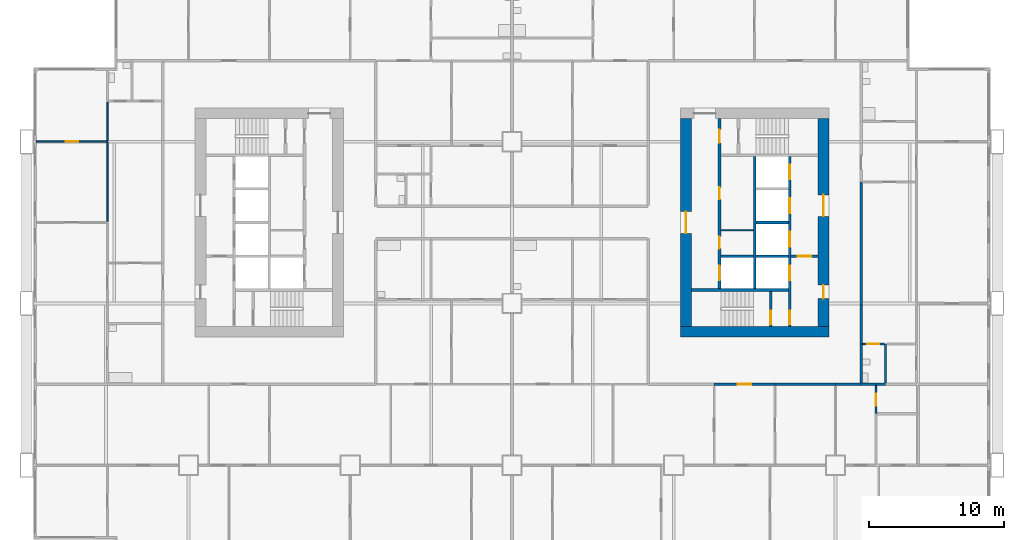
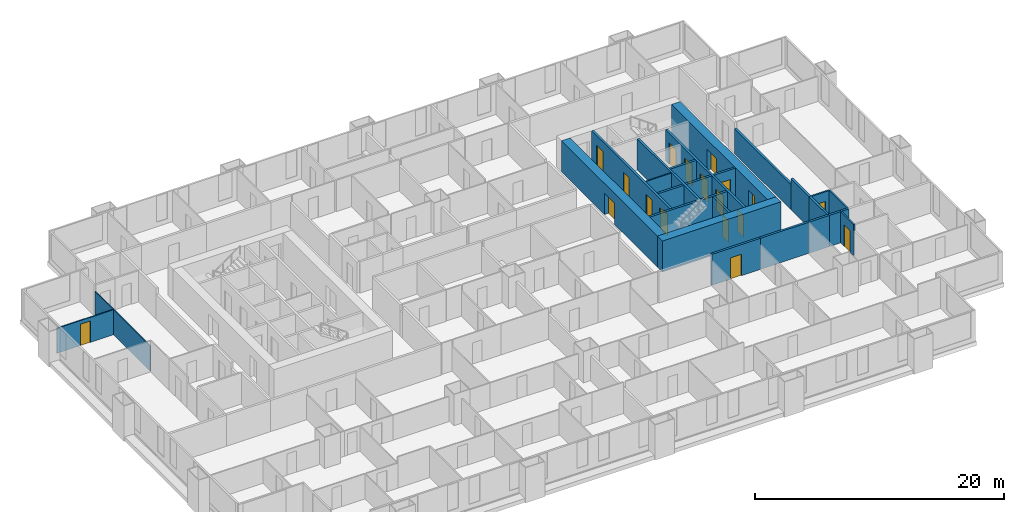
# One storey, part 7 of 14: 27 walls, 18 doors, 18 openings.
"""IFC4 building model written with IfcOpenShell, lengths in metres."""

from ifc_helpers import new_model, si_unit, direction, frame, frame_2d, origin, place, context, subcontext, project, spatial, rectangle, extrude, material, layer, layer_set, type_object, element, fill, save


model = new_model("IFC4")

# Units and contexts
model_context = context("Model", 3, precision=1e-05, world=origin(), true_north=direction((0.0, 1.0)))
body_context = subcontext(model_context, "Body", "Model", "MODEL_VIEW")
ifc_project = project(units=[si_unit("LENGTHUNIT", "METRE"), si_unit("AREAUNIT", "SQUARE_METRE"), si_unit("VOLUMEUNIT", "CUBIC_METRE"), si_unit("PLANEANGLEUNIT", "RADIAN"), si_unit("MASSUNIT", "GRAM", prefix="KILO")], contexts=[model_context])

# Site, building, storey
site_placement = place(None, origin())
site = spatial("IfcSite", under=ifc_project, at=site_placement, CompositionType="ELEMENT")
building_placement = place(site_placement, origin())
building = spatial("IfcBuilding", under=site, at=building_placement, Name="Kitamizu Gate Tower and Museum", CompositionType="ELEMENT")
storey_placement = place(building_placement, frame((0.0, 0.0, 33.449951171875)))
storey = spatial("IfcBuildingStorey", under=building, at=storey_placement, Name="L06", CompositionType="ELEMENT", Elevation=33.449951171875)

# Wall
ifc_material_1 = material(Name="Concrete Fc60", Category="concrete")
ifc_layer_1 = layer(ifc_material_1, 0.800048828125)
ifc_layer_set_1 = layer_set([ifc_layer_1], Name="Concrete Fc60")
wall_type_1 = type_object("IfcWallType", Name="Core wall 800", PredefinedType="SHEAR", material=ifc_layer_set_1)
wall_1_placement = place(storey_placement, frame((59.5, 21.89990234375, 0.0), z_axis=(0.0, 0.0, 1.0), x_axis=(-1.0, 0.0, 0.0)))
element("IfcWall", 1, at=wall_1_placement, inside=storey, type_object=wall_type_1, Name="Core wall ES", PredefinedType="SHEAR", context=body_context, shape_type="SweptSolid", body=[
    extrude(rectangle(XDim=11.0, YDim=0.800048828125, at=frame_2d((5.5, 0.0))), origin(), (0.0, 0.0, 1.0), 3.050048828125),
])

# Wall, openings, doors
wall_2_placement = place(storey_placement, frame((59.10009765625, 22.300048828125, 0.0), z_axis=(0.0, 0.0, 1.0), x_axis=(0.0, 1.0, 0.0)))
wall_2 = element("IfcWall", 2, at=wall_2_placement, inside=storey, type_object=wall_type_1, Name="Core wall EOUT", PredefinedType="SHEAR", context=body_context, shape_type="SweptSolid", body=[
    extrude(rectangle(XDim=15.39990234375, YDim=0.800048828125, at=frame_2d((7.699951171875, 0.0))), origin(), (0.0, 0.0, 1.0), 3.050048828125),
])
opening_1_placement = place(wall_2_placement, frame((8.14990234375, 0.0, 0.0)))
opening_1 = element("IfcOpeningElement", 3, at=opening_1_placement, cuts=wall_2, Name="Opening L06-094", PredefinedType="OPENING", context=body_context, shape_type="SweptSolid", body=[
    extrude(rectangle(XDim=1.60009765625, YDim=2.10009765625, at=frame_2d((0.800048828125, 1.050048828125))), frame((0.0, 0.41015625, 0.0), z_axis=(0.0, -1.0, 0.0), x_axis=(1.0, 0.0, 0.0)), (0.0, 0.0, 1.0), 0.820068359375),
])
opening_2_placement = place(wall_2_placement, frame((2.050048828125, 0.0, 0.0)))
opening_2 = element("IfcOpeningElement", 4, at=opening_2_placement, cuts=wall_2, Name="Opening L06-095", PredefinedType="OPENING", context=body_context, shape_type="SweptSolid", body=[
    extrude(rectangle(XDim=1.0, YDim=2.10009765625, at=frame_2d((0.5, 1.050048828125))), frame((0.0, 0.41015625, 0.0), z_axis=(0.0, -1.0, 0.0), x_axis=(1.0, 0.0, 0.0)), (0.0, 0.0, 1.0), 0.820068359375),
])
ifc_material_2 = material(Name="Timber door set", Category="wood")
door_type_1 = type_object("IfcDoorType", Name="Entrance door 1600", OperationType="DOUBLE_DOOR_SINGLE_SWING", PredefinedType="DOOR", material=ifc_material_2)
door_1_placement = place(opening_1_placement, origin())
door_1 = element("IfcDoor", 5, at=door_1_placement, inside=storey, type_object=door_type_1, Name="Lobby door L06-094", OperationType="DOUBLE_DOOR_SINGLE_SWING", OverallHeight=2.10009765625, OverallWidth=1.60009765625, PredefinedType="DOOR", context=body_context, shape_type="SweptSolid", body=[
    extrude(rectangle(XDim=1.60009765625, YDim=2.10009765625, at=frame_2d((0.800048828125, 1.050048828125))), frame((0.0, 0.02490234375, 0.0), z_axis=(0.0, -1.0, 0.0), x_axis=(1.0, 0.0, 0.0)), (0.0, 0.0, 1.0), 0.050048828125),
])
fill(opening_1, door_1)
ifc_material_3 = material(Name="Hollow metal door set")
door_type_2 = type_object("IfcDoorType", Name="Fire door 1000", OperationType="NOTDEFINED", PredefinedType="DOOR", material=ifc_material_3)
door_2_placement = place(opening_2_placement, origin())
door_2 = element("IfcDoor", 6, at=door_2_placement, inside=storey, type_object=door_type_2, Name="Fire-fighting lobby door L06-095", OperationType="SINGLE_SWING_RIGHT", OverallHeight=2.10009765625, OverallWidth=1.0, PredefinedType="DOOR", context=body_context, shape_type="SweptSolid", body=[
    extrude(rectangle(XDim=1.0, YDim=2.10009765625, at=frame_2d((0.5, 1.050048828125))), frame((0.0, 0.02490234375, 0.0), z_axis=(0.0, -1.0, 0.0), x_axis=(1.0, 0.0, 0.0)), (0.0, 0.0, 1.0), 0.050048828125),
])
fill(opening_2, door_2)

# Wall, opening, door
wall_3_placement = place(storey_placement, frame((48.89990234375, 22.300048828125, 0.0), z_axis=(0.0, 0.0, 1.0), x_axis=(0.0, 1.0, 0.0)))
wall_3 = element("IfcWall", 7, at=wall_3_placement, inside=storey, type_object=wall_type_1, Name="Core wall EARC", PredefinedType="SHEAR", context=body_context, shape_type="SweptSolid", body=[
    extrude(rectangle(XDim=15.39990234375, YDim=0.800048828125, at=frame_2d((7.699951171875, 0.0))), origin(), (0.0, 0.0, 1.0), 3.050048828125),
])
opening_3_placement = place(wall_3_placement, frame((6.89990234375, 0.0, 0.0)))
opening_3 = element("IfcOpeningElement", 8, at=opening_3_placement, cuts=wall_3, Name="Opening L06-097", PredefinedType="OPENING", context=body_context, shape_type="SweptSolid", body=[
    extrude(rectangle(XDim=1.60009765625, YDim=2.10009765625, at=frame_2d((0.800048828125, 1.050048828125))), frame((0.0, 0.41015625, 0.0), z_axis=(0.0, -1.0, 0.0), x_axis=(1.0, 0.0, 0.0)), (0.0, 0.0, 1.0), 0.820068359375),
])
door_3_placement = place(opening_3_placement, origin())
door_3 = element("IfcDoor", 9, at=door_3_placement, inside=storey, type_object=door_type_1, Name="Lobby door L06-097", OperationType="DOUBLE_DOOR_SINGLE_SWING", OverallHeight=2.10009765625, OverallWidth=1.60009765625, PredefinedType="DOOR", context=body_context, shape_type="SweptSolid", body=[
    extrude(rectangle(XDim=1.60009765625, YDim=2.10009765625, at=frame_2d((0.800048828125, 1.050048828125))), frame((0.0, 0.02490234375, 0.0), z_axis=(0.0, -1.0, 0.0), x_axis=(1.0, 0.0, 0.0)), (0.0, 0.0, 1.0), 0.050048828125),
])
fill(opening_3, door_3)

# Wall
ifc_material_4 = material(Name="Gypsum board on galvanised stud")
ifc_layer_2 = layer(ifc_material_4, 0.10009765625)
ifc_layer_set_2 = layer_set([ifc_layer_2], Name="Gypsum board on galvanised stud")
wall_type_2 = type_object("IfcWallType", Name="Partition 100", PredefinedType="PARTITIONING", material=ifc_layer_set_2)
wall_4_placement = place(storey_placement, frame((53.89990234375, 29.425048828125, 0.0), z_axis=(0.0, 0.0, 1.0), x_axis=(-1.0, 0.0, 0.0)))
element("IfcWall", 10, at=wall_4_placement, inside=storey, type_object=wall_type_2, Name="Partition EPF1", PredefinedType="PARTITIONING", context=body_context, shape_type="SweptSolid", body=[
    extrude(rectangle(XDim=2.39990234375, YDim=0.10009765625, at=frame_2d((1.199951171875, 0.0))), origin(), (0.0, 0.0, 1.0), 3.050048828125),
])

# Wall, opening, door
ifc_material_5 = material(Name="Gypsum board on galvanised stud")
ifc_layer_3 = layer(ifc_material_5, 0.10009765625)
ifc_layer_set_3 = layer_set([ifc_layer_3], Name="Gypsum board on galvanised stud")
wall_type_3 = type_object("IfcWallType", Name="Partition 100 NOT RATED", PredefinedType="PARTITIONING", material=ifc_layer_set_3)
wall_5_placement = place(storey_placement, frame((6.0, 36.0, 0.0), z_axis=(0.0, 0.0, 1.0), x_axis=(-1.0, 0.0, 0.0)))
wall_5 = element("IfcWall", 11, at=wall_5_placement, inside=storey, type_object=wall_type_3, Name="Partition L06-056", PredefinedType="PARTITIONING", context=body_context, shape_type="SweptSolid", body=[
    extrude(rectangle(XDim=5.280029296875, YDim=0.10009765625, at=frame_2d((2.64013671875, 0.0))), origin(), (0.0, 0.0, 1.0), 2.449951171875),
])
opening_4_placement = place(wall_5_placement, frame((2.18994140625, 0.0, 0.0)))
opening_4 = element("IfcOpeningElement", 12, at=opening_4_placement, cuts=wall_5, Name="Opening L06-023", PredefinedType="OPENING", context=body_context, shape_type="SweptSolid", body=[
    extrude(rectangle(XDim=0.89990234375, YDim=2.10009765625, at=frame_2d((0.449951171875, 1.050048828125))), frame((0.0, 0.06005859375, 0.0), z_axis=(0.0, -1.0, 0.0), x_axis=(1.0, 0.0, 0.0)), (0.0, 0.0, 1.0), 0.1201171875),
])
ifc_material_6 = material(Name="Timber door set", Category="wood")
door_type_3 = type_object("IfcDoorType", Name="Room door 900", OperationType="NOTDEFINED", PredefinedType="DOOR", material=ifc_material_6)
door_4_placement = place(opening_4_placement, frame((0.89990234375, 0.0, 0.0), x_axis=(-1.0, 0.0, 0.0)))
door_4 = element("IfcDoor", 13, at=door_4_placement, inside=storey, type_object=door_type_3, Name="Door L06-023", OperationType="SINGLE_SWING_LEFT", OverallHeight=2.10009765625, OverallWidth=0.89990234375, PredefinedType="DOOR", context=body_context, shape_type="SweptSolid", body=[
    extrude(rectangle(XDim=0.89990234375, YDim=2.10009765625, at=frame_2d((0.449951171875, 1.050048828125))), frame((0.0, 0.02490234375, 0.0), z_axis=(0.0, -1.0, 0.0), x_axis=(1.0, 0.0, 0.0)), (0.0, 0.0, 1.0), 0.050048828125),
])
fill(opening_4, door_4)

# Walls
wall_6_placement = place(storey_placement, frame((6.0, 30.050048828125, 0.0), z_axis=(0.0, 0.0, 1.0), x_axis=(0.0, 1.0, 0.0)))
element("IfcWall", 14, at=wall_6_placement, inside=storey, type_object=wall_type_3, Name="Partition L06-057", PredefinedType="PARTITIONING", context=body_context, shape_type="SweptSolid", body=[
    extrude(rectangle(XDim=5.89990234375, YDim=0.10009765625, at=frame_2d((2.949951171875, 0.0))), origin(), (0.0, 0.0, 1.0), 2.449951171875),
])
wall_7_placement = place(storey_placement, frame((6.0, 36.050048828125, 0.0), z_axis=(0.0, 0.0, 1.0), x_axis=(0.0, 1.0, 0.0)))
element("IfcWall", 15, at=wall_7_placement, inside=storey, type_object=wall_type_3, Name="Partition L06-058", PredefinedType="PARTITIONING", context=body_context, shape_type="SweptSolid", body=[
    extrude(rectangle(XDim=2.875, YDim=0.10009765625, at=frame_2d((1.4375, 0.0))), origin(), (0.0, 0.0, 1.0), 2.449951171875),
])

# Wall, opening, door
ifc_material_7 = material(Name="Gypsum board on galvanised stud")
ifc_layer_4 = layer(ifc_material_7, 0.14990234375)
ifc_layer_set_4 = layer_set([ifc_layer_4], Name="Gypsum board on galvanised stud")
wall_type_4 = type_object("IfcWallType", Name="Partition 150", PredefinedType="PARTITIONING", material=ifc_layer_set_4)
wall_8_placement = place(storey_placement, frame((63.0, 15.81396484375, 0.0), z_axis=(0.0, 0.0, 1.0), x_axis=(0.0, 1.0, 0.0)))
wall_8 = element("IfcWall", 16, at=wall_8_placement, inside=storey, type_object=wall_type_4, Name="Partition L06-109", PredefinedType="PARTITIONING", context=body_context, shape_type="SweptSolid", body=[
    extrude(rectangle(XDim=2.0859375, YDim=0.14990234375, at=frame_2d((1.04296875, 0.0))), origin(), (0.0, 0.0, 1.0), 3.050048828125),
])
opening_5_placement = place(wall_8_placement, frame((0.593017578125, 0.0, 0.0)))
opening_5 = element("IfcOpeningElement", 17, at=opening_5_placement, cuts=wall_8, Name="Opening L06-043", PredefinedType="OPENING", context=body_context, shape_type="SweptSolid", body=[
    extrude(rectangle(XDim=0.89990234375, YDim=2.10009765625, at=frame_2d((0.449951171875, 1.050048828125))), frame((0.0, 0.0849609375, 0.0), z_axis=(0.0, -1.0, 0.0), x_axis=(1.0, 0.0, 0.0)), (0.0, 0.0, 1.0), 0.169921875),
])
ifc_material_8 = material(Name="Timber door set", Category="wood")
door_type_4 = type_object("IfcDoorType", Name="Bathroom door 900", OperationType="NOTDEFINED", PredefinedType="DOOR", material=ifc_material_8)
door_5_placement = place(opening_5_placement, frame((0.89990234375, 0.0, 0.0), x_axis=(-1.0, 0.0, 0.0)))
door_5 = element("IfcDoor", 18, at=door_5_placement, inside=storey, type_object=door_type_4, Name="Bathroom door L06-043", OperationType="SINGLE_SWING_RIGHT", OverallHeight=2.10009765625, OverallWidth=0.89990234375, PredefinedType="DOOR", context=body_context, shape_type="SweptSolid", body=[
    extrude(rectangle(XDim=0.89990234375, YDim=2.10009765625, at=frame_2d((0.449951171875, 1.050048828125))), frame((0.0, 0.02490234375, 0.0), z_axis=(0.0, -1.0, 0.0), x_axis=(1.0, 0.0, 0.0)), (0.0, 0.0, 1.0), 0.050048828125),
])
fill(opening_5, door_5)

# Wall
wall_9_placement = place(storey_placement, frame((63.699951171875, 18.10009765625, 0.0), z_axis=(0.0, 0.0, 1.0), x_axis=(0.0, 1.0, 0.0)))
element("IfcWall", 19, at=wall_9_placement, inside=storey, type_object=wall_type_4, Name="Partition L06-134", PredefinedType="PARTITIONING", context=body_context, shape_type="SweptSolid", body=[
    extrude(rectangle(XDim=2.89990234375, YDim=0.14990234375, at=frame_2d((1.449951171875, 0.0))), origin(), (0.0, 0.0, 1.0), 3.050048828125),
])

# Wall, opening, door
wall_10_placement = place(storey_placement, frame((63.625, 21.0, 0.0), z_axis=(0.0, 0.0, 1.0), x_axis=(-1.0, 0.0, 0.0)))
wall_10 = element("IfcWall", 20, at=wall_10_placement, inside=storey, type_object=wall_type_4, Name="Partition L06-135", PredefinedType="PARTITIONING", context=body_context, shape_type="SweptSolid", body=[
    extrude(rectangle(XDim=1.625, YDim=0.14990234375, at=frame_2d((0.8125, 0.0))), origin(), (0.0, 0.0, 1.0), 3.050048828125),
])
opening_6_placement = place(wall_10_placement, frame((0.362548828125, 0.0, 0.0)))
opening_6 = element("IfcOpeningElement", 21, at=opening_6_placement, cuts=wall_10, Name="Opening L06-054", PredefinedType="OPENING", context=body_context, shape_type="SweptSolid", body=[
    extrude(rectangle(XDim=0.89990234375, YDim=2.10009765625, at=frame_2d((0.449951171875, 1.050048828125))), frame((0.0, 0.0849609375, 0.0), z_axis=(0.0, -1.0, 0.0), x_axis=(1.0, 0.0, 0.0)), (0.0, 0.0, 1.0), 0.169921875),
])
door_6_placement = place(opening_6_placement, origin())
door_6 = element("IfcDoor", 22, at=door_6_placement, inside=storey, type_object=door_type_4, Name="Bathroom door L06-054", OperationType="SINGLE_SWING_RIGHT", OverallHeight=2.10009765625, OverallWidth=0.89990234375, PredefinedType="DOOR", context=body_context, shape_type="SweptSolid", body=[
    extrude(rectangle(XDim=0.89990234375, YDim=2.10009765625, at=frame_2d((0.449951171875, 1.050048828125))), frame((0.0, 0.02490234375, 0.0), z_axis=(0.0, -1.0, 0.0), x_axis=(1.0, 0.0, 0.0)), (0.0, 0.0, 1.0), 0.050048828125),
])
fill(opening_6, door_6)

ifc_material_9 = material(Name="Gypsum board on galvanised stud")
ifc_layer_5 = layer(ifc_material_9, 0.199951171875)
ifc_layer_set_5 = layer_set([ifc_layer_5], Name="Gypsum board on galvanised stud")
wall_type_5 = type_object("IfcWallType", Name="Partition 200", PredefinedType="PARTITIONING", material=ifc_layer_set_5)
wall_11_placement = place(storey_placement, frame((55.5, 18.0, 0.0), z_axis=(0.0, 0.0, 1.0), x_axis=(-1.0, 0.0, 0.0)))
wall_11 = element("IfcWall", 23, at=wall_11_placement, inside=storey, type_object=wall_type_5, Name="Partition L06-105", PredefinedType="PARTITIONING", context=body_context, shape_type="SweptSolid", body=[
    extrude(rectangle(XDim=4.5, YDim=0.199951171875, at=frame_2d((2.25, 0.0))), origin(), (0.0, 0.0, 1.0), 3.050048828125),
])
opening_7_placement = place(wall_11_placement, frame((1.75, 0.0, 0.0)))
opening_7 = element("IfcOpeningElement", 24, at=opening_7_placement, cuts=wall_11, Name="Opening L06-027", PredefinedType="OPENING", context=body_context, shape_type="SweptSolid", body=[
    extrude(rectangle(XDim=1.0, YDim=2.10009765625, at=frame_2d((0.5, 1.050048828125))), frame((0.0, 0.10986328125, 0.0), z_axis=(0.0, -1.0, 0.0), x_axis=(1.0, 0.0, 0.0)), (0.0, 0.0, 1.0), 0.219970703125),
])
ifc_material_10 = material(Name="Timber door set", Category="wood")
door_type_5 = type_object("IfcDoorType", Name="Flat entrance door 1000", OperationType="NOTDEFINED", PredefinedType="DOOR", material=ifc_material_10)
door_7_placement = place(opening_7_placement, origin())
door_7 = element("IfcDoor", 25, at=door_7_placement, inside=storey, type_object=door_type_5, Name="Flat entrance door L06-027", OperationType="SINGLE_SWING_RIGHT", OverallHeight=2.10009765625, OverallWidth=1.0, PredefinedType="DOOR", context=body_context, shape_type="SweptSolid", body=[
    extrude(rectangle(XDim=1.0, YDim=2.10009765625, at=frame_2d((0.5, 1.050048828125))), frame((0.0, 0.02490234375, 0.0), z_axis=(0.0, -1.0, 0.0), x_axis=(1.0, 0.0, 0.0)), (0.0, 0.0, 1.0), 0.050048828125),
])
fill(opening_7, door_7)

# Walls
wall_12_placement = place(storey_placement, frame((60.0, 18.0, 0.0), z_axis=(0.0, 0.0, 1.0), x_axis=(-1.0, 0.0, 0.0)))
element("IfcWall", 26, at=wall_12_placement, inside=storey, type_object=wall_type_5, Name="Partition L06-107", PredefinedType="PARTITIONING", context=body_context, shape_type="SweptSolid", body=[
    extrude(rectangle(XDim=4.5, YDim=0.199951171875, at=frame_2d((2.25, 0.0))), origin(), (0.0, 0.0, 1.0), 3.050048828125),
])
wall_13_placement = place(storey_placement, frame((63.0, 18.0, 0.0), z_axis=(0.0, 0.0, 1.0), x_axis=(-1.0, 0.0, 0.0)))
element("IfcWall", 27, at=wall_13_placement, inside=storey, type_object=wall_type_5, Name="Partition L06-110", PredefinedType="PARTITIONING", context=body_context, shape_type="SweptSolid", body=[
    extrude(rectangle(XDim=1.10009765625, YDim=0.199951171875, at=frame_2d((0.550048828125, 0.0))), origin(), (0.0, 0.0, 1.0), 3.050048828125),
])
wall_14_placement = place(storey_placement, frame((61.89990234375, 18.0, 0.0), z_axis=(0.0, 0.0, 1.0), x_axis=(-1.0, 0.0, 0.0)))
element("IfcWall", 28, at=wall_14_placement, inside=storey, type_object=wall_type_5, Name="Partition L06-111", PredefinedType="PARTITIONING", context=body_context, shape_type="SweptSolid", body=[
    extrude(rectangle(XDim=1.89990234375, YDim=0.199951171875, at=frame_2d((0.949951171875, 0.0))), origin(), (0.0, 0.0, 1.0), 3.050048828125),
])
wall_15_placement = place(storey_placement, frame((63.699951171875, 18.0, 0.0), z_axis=(0.0, 0.0, 1.0), x_axis=(-1.0, 0.0, 0.0)))
element("IfcWall", 29, at=wall_15_placement, inside=storey, type_object=wall_type_5, Name="Partition L06-116", PredefinedType="PARTITIONING", context=body_context, shape_type="SweptSolid", body=[
    extrude(rectangle(XDim=0.699951171875, YDim=0.199951171875, at=frame_2d((0.35009765625, 0.0))), origin(), (0.0, 0.0, 1.0), 3.050048828125),
])
wall_16_placement = place(storey_placement, frame((61.89990234375, 21.0, 0.0), z_axis=(0.0, 0.0, 1.0), x_axis=(0.0, -1.0, 0.0)))
element("IfcWall", 30, at=wall_16_placement, inside=storey, type_object=wall_type_5, Name="Partition L06-136", PredefinedType="PARTITIONING", context=body_context, shape_type="SweptSolid", body=[
    extrude(rectangle(XDim=2.89990234375, YDim=0.199951171875, at=frame_2d((1.449951171875, 0.0))), origin(), (0.0, 0.0, 1.0), 3.050048828125),
])
wall_17_placement = place(storey_placement, frame((61.89990234375, 33.0, 0.0), z_axis=(0.0, 0.0, 1.0), x_axis=(0.0, -1.0, 0.0)))
element("IfcWall", 31, at=wall_17_placement, inside=storey, type_object=wall_type_5, Name="Partition L06-139", PredefinedType="PARTITIONING", context=body_context, shape_type="SweptSolid", body=[
    extrude(rectangle(XDim=9.10009765625, YDim=0.199951171875, at=frame_2d((4.550048828125, 0.0))), origin(), (0.0, 0.0, 1.0), 2.449951171875),
])
wall_18_placement = place(storey_placement, frame((61.89990234375, 23.89990234375, 0.0), z_axis=(0.0, 0.0, 1.0), x_axis=(0.0, -1.0, 0.0)))
element("IfcWall", 32, at=wall_18_placement, inside=storey, type_object=wall_type_5, Name="Partition L06-140", PredefinedType="PARTITIONING", context=body_context, shape_type="SweptSolid", body=[
    extrude(rectangle(XDim=2.89990234375, YDim=0.199951171875, at=frame_2d((1.449951171875, 0.0))), origin(), (0.0, 0.0, 1.0), 3.050048828125),
])

# Wall, openings, doors
ifc_material_11 = material(Name="Concrete Fc42", Category="concrete")
ifc_layer_6 = layer(ifc_material_11, 0.199951171875)
ifc_layer_set_6 = layer_set([ifc_layer_6], Name="Concrete Fc42")
wall_type_6 = type_object("IfcWallType", Name="Shaft wall 200", PredefinedType="SOLIDWALL", material=ifc_layer_set_6)
wall_19_placement = place(storey_placement, frame((56.60009765625, 22.300048828125, 0.0), z_axis=(0.0, 0.0, 1.0), x_axis=(0.0, 1.0, 0.0)))
wall_19 = element("IfcWall", 33, at=wall_19_placement, inside=storey, type_object=wall_type_6, Name="Shaft wall EWEST", PredefinedType="SOLIDWALL", context=body_context, shape_type="SweptSolid", body=[
    extrude(rectangle(XDim=12.599853515625, YDim=0.199951171875, at=frame_2d((6.2998046875, 0.0))), origin(), (0.0, 0.0, 1.0), 3.050048828125),
])
opening_8_placement = place(wall_19_placement, frame((3.39990234375, 0.0, 0.0)))
opening_8 = element("IfcOpeningElement", 34, at=opening_8_placement, cuts=wall_19, Name="Opening LD", PredefinedType="OPENING", context=body_context, shape_type="SweptSolid", body=[
    extrude(rectangle(XDim=1.10009765625, YDim=2.10009765625, at=frame_2d((0.550048828125, 1.050048828125))), frame((0.0, 0.10986328125, 0.0), z_axis=(0.0, -1.0, 0.0), x_axis=(1.0, 0.0, 0.0)), (0.0, 0.0, 1.0), 0.219970703125),
])
opening_9_placement = place(wall_19_placement, frame((5.89990234375, 0.0, 0.0)))
opening_9 = element("IfcOpeningElement", 35, at=opening_9_placement, cuts=wall_19, Name="Opening LD", PredefinedType="OPENING", context=body_context, shape_type="SweptSolid", body=[
    extrude(rectangle(XDim=1.10009765625, YDim=2.10009765625, at=frame_2d((0.550048828125, 1.050048828125))), frame((0.0, 0.10986328125, 0.0), z_axis=(0.0, -1.0, 0.0), x_axis=(1.0, 0.0, 0.0)), (0.0, 0.0, 1.0), 0.219970703125),
])
opening_10_placement = place(wall_19_placement, frame((8.39990234375, 0.0, 0.0)))
opening_10 = element("IfcOpeningElement", 36, at=opening_10_placement, cuts=wall_19, Name="Opening LD", PredefinedType="OPENING", context=body_context, shape_type="SweptSolid", body=[
    extrude(rectangle(XDim=1.10009765625, YDim=2.10009765625, at=frame_2d((0.550048828125, 1.050048828125))), frame((0.0, 0.10986328125, 0.0), z_axis=(0.0, -1.0, 0.0), x_axis=(1.0, 0.0, 0.0)), (0.0, 0.0, 1.0), 0.219970703125),
])
opening_11_placement = place(wall_19_placement, frame((10.89990234375, 0.0, 0.0)))
opening_11 = element("IfcOpeningElement", 37, at=opening_11_placement, cuts=wall_19, Name="Opening LD", PredefinedType="OPENING", context=body_context, shape_type="SweptSolid", body=[
    extrude(rectangle(XDim=1.10009765625, YDim=2.10009765625, at=frame_2d((0.550048828125, 1.050048828125))), frame((0.0, 0.10986328125, 0.0), z_axis=(0.0, -1.0, 0.0), x_axis=(1.0, 0.0, 0.0)), (0.0, 0.0, 1.0), 0.219970703125),
])
opening_12_placement = place(wall_19_placement, frame((0.14990234375, 0.0, 0.0)))
opening_12 = element("IfcOpeningElement", 38, at=opening_12_placement, cuts=wall_19, Name="Opening L06-090", PredefinedType="OPENING", context=body_context, shape_type="SweptSolid", body=[
    extrude(rectangle(XDim=1.0, YDim=2.10009765625, at=frame_2d((0.5, 1.050048828125))), frame((0.0, 0.10986328125, 0.0), z_axis=(0.0, -1.0, 0.0), x_axis=(1.0, 0.0, 0.0)), (0.0, 0.0, 1.0), 0.219970703125),
])
door_8_placement = place(opening_12_placement, origin())
door_8 = element("IfcDoor", 39, at=door_8_placement, inside=storey, type_object=door_type_2, Name="Stair lobby door L06-090", OperationType="SINGLE_SWING_RIGHT", OverallHeight=2.10009765625, OverallWidth=1.0, PredefinedType="DOOR", context=body_context, shape_type="SweptSolid", body=[
    extrude(rectangle(XDim=1.0, YDim=2.10009765625, at=frame_2d((0.5, 1.050048828125))), frame((0.0, 0.02490234375, 0.0), z_axis=(0.0, -1.0, 0.0), x_axis=(1.0, 0.0, 0.0)), (0.0, 0.0, 1.0), 0.050048828125),
])
fill(opening_12, door_8)
ifc_material_12 = material(Name="Hollow metal door set")
door_type_6 = type_object("IfcDoorType", Name="Landing door 1100", OperationType="SLIDING_TO_LEFT", PredefinedType="DOOR", material=ifc_material_12)
door_9_placement = place(opening_8_placement, origin())
door_9 = element("IfcDoor", 40, at=door_9_placement, inside=storey, type_object=door_type_6, Name="Landing door EFF1", OperationType="SLIDING_TO_LEFT", OverallHeight=2.10009765625, OverallWidth=1.10009765625, PredefinedType="DOOR", context=body_context, shape_type="SweptSolid", body=[
    extrude(rectangle(XDim=1.10009765625, YDim=2.10009765625, at=frame_2d((0.550048828125, 1.050048828125))), frame((0.0, 0.02490234375, 0.0), z_axis=(0.0, -1.0, 0.0), x_axis=(1.0, 0.0, 0.0)), (0.0, 0.0, 1.0), 0.050048828125),
])
fill(opening_8, door_9)
door_10_placement = place(opening_9_placement, origin())
door_10 = element("IfcDoor", 41, at=door_10_placement, inside=storey, type_object=door_type_6, Name="Landing door EL1", OperationType="SLIDING_TO_LEFT", OverallHeight=2.10009765625, OverallWidth=1.10009765625, PredefinedType="DOOR", context=body_context, shape_type="SweptSolid", body=[
    extrude(rectangle(XDim=1.10009765625, YDim=2.10009765625, at=frame_2d((0.550048828125, 1.050048828125))), frame((0.0, 0.02490234375, 0.0), z_axis=(0.0, -1.0, 0.0), x_axis=(1.0, 0.0, 0.0)), (0.0, 0.0, 1.0), 0.050048828125),
])
fill(opening_9, door_10)
door_11_placement = place(opening_10_placement, origin())
door_11 = element("IfcDoor", 42, at=door_11_placement, inside=storey, type_object=door_type_6, Name="Landing door EL2", OperationType="SLIDING_TO_LEFT", OverallHeight=2.10009765625, OverallWidth=1.10009765625, PredefinedType="DOOR", context=body_context, shape_type="SweptSolid", body=[
    extrude(rectangle(XDim=1.10009765625, YDim=2.10009765625, at=frame_2d((0.550048828125, 1.050048828125))), frame((0.0, 0.02490234375, 0.0), z_axis=(0.0, -1.0, 0.0), x_axis=(1.0, 0.0, 0.0)), (0.0, 0.0, 1.0), 0.050048828125),
])
fill(opening_10, door_11)
door_12_placement = place(opening_11_placement, origin())
door_12 = element("IfcDoor", 43, at=door_12_placement, inside=storey, type_object=door_type_6, Name="Landing door EL3", OperationType="SLIDING_TO_LEFT", OverallHeight=2.10009765625, OverallWidth=1.10009765625, PredefinedType="DOOR", context=body_context, shape_type="SweptSolid", body=[
    extrude(rectangle(XDim=1.10009765625, YDim=2.10009765625, at=frame_2d((0.550048828125, 1.050048828125))), frame((0.0, 0.02490234375, 0.0), z_axis=(0.0, -1.0, 0.0), x_axis=(1.0, 0.0, 0.0)), (0.0, 0.0, 1.0), 0.050048828125),
])
fill(opening_11, door_12)

wall_20_placement = place(storey_placement, frame((51.39990234375, 25.10009765625, 0.0), z_axis=(0.0, 0.0, 1.0), x_axis=(0.0, 1.0, 0.0)))
wall_20 = element("IfcWall", 44, at=wall_20_placement, inside=storey, type_object=wall_type_6, Name="Shaft wall EEAST", PredefinedType="SOLIDWALL", context=body_context, shape_type="SweptSolid", body=[
    extrude(rectangle(XDim=12.599853515625, YDim=0.199951171875, at=frame_2d((6.2998046875, 0.0))), origin(), (0.0, 0.0, 1.0), 3.050048828125),
])
opening_13_placement = place(wall_20_placement, frame((0.60009765625, 0.0, 0.0)))
opening_13 = element("IfcOpeningElement", 45, at=opening_13_placement, cuts=wall_20, Name="Opening LD", PredefinedType="OPENING", context=body_context, shape_type="SweptSolid", body=[
    extrude(rectangle(XDim=1.10009765625, YDim=2.10009765625, at=frame_2d((0.550048828125, 1.050048828125))), frame((0.0, 0.10986328125, 0.0), z_axis=(0.0, -1.0, 0.0), x_axis=(1.0, 0.0, 0.0)), (0.0, 0.0, 1.0), 0.219970703125),
])
opening_14_placement = place(wall_20_placement, frame((10.800048828125, 0.0, 0.0)))
opening_14 = element("IfcOpeningElement", 46, at=opening_14_placement, cuts=wall_20, Name="Opening L06-091", PredefinedType="OPENING", context=body_context, shape_type="SweptSolid", body=[
    extrude(rectangle(XDim=1.0, YDim=2.10009765625, at=frame_2d((0.5, 1.050048828125))), frame((0.0, 0.10986328125, 0.0), z_axis=(0.0, -1.0, 0.0), x_axis=(1.0, 0.0, 0.0)), (0.0, 0.0, 1.0), 0.219970703125),
])
opening_15_placement = place(wall_20_placement, frame((2.96240234375, 0.0, 0.0)))
opening_15 = element("IfcOpeningElement", 47, at=opening_15_placement, cuts=wall_20, Name="Opening L06-098", PredefinedType="OPENING", context=body_context, shape_type="SweptSolid", body=[
    extrude(rectangle(XDim=0.89990234375, YDim=2.10009765625, at=frame_2d((0.449951171875, 1.050048828125))), frame((0.0, 0.10986328125, 0.0), z_axis=(0.0, -1.0, 0.0), x_axis=(1.0, 0.0, 0.0)), (0.0, 0.0, 1.0), 0.219970703125),
])
opening_16_placement = place(wall_20_placement, frame((6.612548828125, 0.0, 0.0)))
opening_16 = element("IfcOpeningElement", 48, at=opening_16_placement, cuts=wall_20, Name="Opening L06-099", PredefinedType="OPENING", context=body_context, shape_type="SweptSolid", body=[
    extrude(rectangle(XDim=0.89990234375, YDim=2.10009765625, at=frame_2d((0.449951171875, 1.050048828125))), frame((0.0, 0.10986328125, 0.0), z_axis=(0.0, -1.0, 0.0), x_axis=(1.0, 0.0, 0.0)), (0.0, 0.0, 1.0), 0.219970703125),
])
door_13_placement = place(opening_14_placement, frame((1.0, 0.0, 0.0), x_axis=(-1.0, 0.0, 0.0)))
door_13 = element("IfcDoor", 49, at=door_13_placement, inside=storey, type_object=door_type_2, Name="Stair lobby door L06-091", OperationType="SINGLE_SWING_RIGHT", OverallHeight=2.10009765625, OverallWidth=1.0, PredefinedType="DOOR", context=body_context, shape_type="SweptSolid", body=[
    extrude(rectangle(XDim=1.0, YDim=2.10009765625, at=frame_2d((0.5, 1.050048828125))), frame((0.0, 0.02490234375, 0.0), z_axis=(0.0, -1.0, 0.0), x_axis=(1.0, 0.0, 0.0)), (0.0, 0.0, 1.0), 0.050048828125),
])
fill(opening_14, door_13)
door_14_placement = place(opening_13_placement, origin())
door_14 = element("IfcDoor", 50, at=door_14_placement, inside=storey, type_object=door_type_6, Name="Landing door ESV1", OperationType="SLIDING_TO_LEFT", OverallHeight=2.10009765625, OverallWidth=1.10009765625, PredefinedType="DOOR", context=body_context, shape_type="SweptSolid", body=[
    extrude(rectangle(XDim=1.10009765625, YDim=2.10009765625, at=frame_2d((0.550048828125, 1.050048828125))), frame((0.0, 0.02490234375, 0.0), z_axis=(0.0, -1.0, 0.0), x_axis=(1.0, 0.0, 0.0)), (0.0, 0.0, 1.0), 0.050048828125),
])
fill(opening_13, door_14)
ifc_material_13 = material(Name="Timber door set", Category="wood")
door_type_7 = type_object("IfcDoorType", Name="Service door 900", OperationType="NOTDEFINED", PredefinedType="DOOR", material=ifc_material_13)
door_15_placement = place(opening_15_placement, frame((0.89990234375, 0.0, 0.0), x_axis=(-1.0, 0.0, 0.0)))
door_15 = element("IfcDoor", 51, at=door_15_placement, inside=storey, type_object=door_type_7, Name="Service door L06-098", OperationType="SINGLE_SWING_RIGHT", OverallHeight=2.10009765625, OverallWidth=0.89990234375, PredefinedType="DOOR", context=body_context, shape_type="SweptSolid", body=[
    extrude(rectangle(XDim=0.89990234375, YDim=2.10009765625, at=frame_2d((0.449951171875, 1.050048828125))), frame((0.0, 0.02490234375, 0.0), z_axis=(0.0, -1.0, 0.0), x_axis=(1.0, 0.0, 0.0)), (0.0, 0.0, 1.0), 0.050048828125),
])
fill(opening_15, door_15)
door_16_placement = place(opening_16_placement, frame((0.89990234375, 0.0, 0.0), x_axis=(-1.0, 0.0, 0.0)))
door_16 = element("IfcDoor", 52, at=door_16_placement, inside=storey, type_object=door_type_7, Name="Service door L06-099", OperationType="SINGLE_SWING_LEFT", OverallHeight=2.10009765625, OverallWidth=0.89990234375, PredefinedType="DOOR", context=body_context, shape_type="SweptSolid", body=[
    extrude(rectangle(XDim=0.89990234375, YDim=2.10009765625, at=frame_2d((0.449951171875, 1.050048828125))), frame((0.0, 0.02490234375, 0.0), z_axis=(0.0, -1.0, 0.0), x_axis=(1.0, 0.0, 0.0)), (0.0, 0.0, 1.0), 0.050048828125),
])
fill(opening_16, door_16)

# Walls
wall_21_placement = place(storey_placement, frame((54.0, 25.10009765625, 0.0), z_axis=(0.0, 0.0, 1.0), x_axis=(0.0, 1.0, 0.0)))
element("IfcWall", 53, at=wall_21_placement, inside=storey, type_object=wall_type_6, Name="Shaft wall EMID", PredefinedType="SOLIDWALL", context=body_context, shape_type="SweptSolid", body=[
    extrude(rectangle(XDim=9.7998046875, YDim=0.199951171875, at=frame_2d((4.89990234375, 0.0))), origin(), (0.0, 0.0, 1.0), 3.050048828125),
])
wall_22_placement = place(storey_placement, frame((56.5, 25.0, 0.0), z_axis=(0.0, 0.0, 1.0), x_axis=(-1.0, 0.0, 0.0)))
element("IfcWall", 54, at=wall_22_placement, inside=storey, type_object=wall_type_6, Name="Shaft wall ESB", PredefinedType="SOLIDWALL", context=body_context, shape_type="SweptSolid", body=[
    extrude(rectangle(XDim=7.199951171875, YDim=0.199951171875, at=frame_2d((3.60009765625, 0.0))), origin(), (0.0, 0.0, 1.0), 3.050048828125),
])

# Wall, opening, door
wall_23_placement = place(storey_placement, frame((58.699951171875, 27.5, 0.0), z_axis=(0.0, 0.0, 1.0), x_axis=(-1.0, 0.0, 0.0)))
wall_23 = element("IfcWall", 55, at=wall_23_placement, inside=storey, type_object=wall_type_6, Name="Shaft wall EFFN", PredefinedType="SOLIDWALL", context=body_context, shape_type="SweptSolid", body=[
    extrude(rectangle(XDim=2.0, YDim=0.199951171875, at=frame_2d((1.0, 0.0))), origin(), (0.0, 0.0, 1.0), 3.050048828125),
])
opening_17_placement = place(wall_23_placement, frame((0.5, 0.0, 0.0)))
opening_17 = element("IfcOpeningElement", 56, at=opening_17_placement, cuts=wall_23, Name="Opening L06-093", PredefinedType="OPENING", context=body_context, shape_type="SweptSolid", body=[
    extrude(rectangle(XDim=1.0, YDim=2.10009765625, at=frame_2d((0.5, 1.050048828125))), frame((0.0, 0.10986328125, 0.0), z_axis=(0.0, -1.0, 0.0), x_axis=(1.0, 0.0, 0.0)), (0.0, 0.0, 1.0), 0.219970703125),
])
door_17_placement = place(opening_17_placement, origin())
door_17 = element("IfcDoor", 57, at=door_17_placement, inside=storey, type_object=door_type_2, Name="Fire-fighting lobby door L06-093", OperationType="SINGLE_SWING_LEFT", OverallHeight=2.10009765625, OverallWidth=1.0, PredefinedType="DOOR", context=body_context, shape_type="SweptSolid", body=[
    extrude(rectangle(XDim=1.0, YDim=2.10009765625, at=frame_2d((0.5, 1.050048828125))), frame((0.0, 0.02490234375, 0.0), z_axis=(0.0, -1.0, 0.0), x_axis=(1.0, 0.0, 0.0)), (0.0, 0.0, 1.0), 0.050048828125),
])
fill(opening_17, door_17)

wall_24_placement = place(storey_placement, frame((55.199951171875, 22.300048828125, 0.0), z_axis=(0.0, 0.0, 1.0), x_axis=(0.0, 1.0, 0.0)))
wall_24 = element("IfcWall", 58, at=wall_24_placement, inside=storey, type_object=wall_type_6, Name="Shaft wall ESZ", PredefinedType="SOLIDWALL", context=body_context, shape_type="SweptSolid", body=[
    extrude(rectangle(XDim=2.599853515625, YDim=0.199951171875, at=frame_2d((1.2998046875, 0.0))), origin(), (0.0, 0.0, 1.0), 3.050048828125),
])
opening_18_placement = place(wall_24_placement, frame((0.14990234375, 0.0, 0.0)))
opening_18 = element("IfcOpeningElement", 59, at=opening_18_placement, cuts=wall_24, Name="Opening L06-089", PredefinedType="OPENING", context=body_context, shape_type="SweptSolid", body=[
    extrude(rectangle(XDim=1.0, YDim=2.10009765625, at=frame_2d((0.5, 1.050048828125))), frame((0.0, 0.10986328125, 0.0), z_axis=(0.0, -1.0, 0.0), x_axis=(1.0, 0.0, 0.0)), (0.0, 0.0, 1.0), 0.219970703125),
])
door_18_placement = place(opening_18_placement, origin())
door_18 = element("IfcDoor", 60, at=door_18_placement, inside=storey, type_object=door_type_2, Name="Stair door L06-089", OperationType="SINGLE_SWING_RIGHT", OverallHeight=2.10009765625, OverallWidth=1.0, PredefinedType="DOOR", context=body_context, shape_type="SweptSolid", body=[
    extrude(rectangle(XDim=1.0, YDim=2.10009765625, at=frame_2d((0.5, 1.050048828125))), frame((0.0, 0.02490234375, 0.0), z_axis=(0.0, -1.0, 0.0), x_axis=(1.0, 0.0, 0.0)), (0.0, 0.0, 1.0), 0.050048828125),
])
fill(opening_18, door_18)

# Walls
for number, where, z_axis, x_axis, name in (
    (61, (56.5, 27.5, 0.0), (0.0, 0.0, 1.0), (-1.0, 0.0, 0.0), "Shaft wall EDVW0"),
    (62, (56.5, 30.0, 0.0), (0.0, 0.0, 1.0), (-1.0, 0.0, 0.0), "Shaft wall EDVW1"),
    (63, (53.89990234375, 27.5, 0.0), (0.0, 0.0, 1.0), (-1.0, 0.0, 0.0), "Shaft wall EDVE0"),
):
    element("IfcWall", number, at=place(storey_placement, frame(where, z_axis=z_axis, x_axis=x_axis)), inside=storey, type_object=wall_type_6, Name=name, PredefinedType="SOLIDWALL", context=body_context, shape_type="SweptSolid", body=[
        extrude(rectangle(XDim=2.39990234375, YDim=0.199951171875, at=frame_2d((1.199951171875, 0.0))), origin(), (0.0, 0.0, 1.0), 3.050048828125),
    ])

save(model, "model.ifc")
